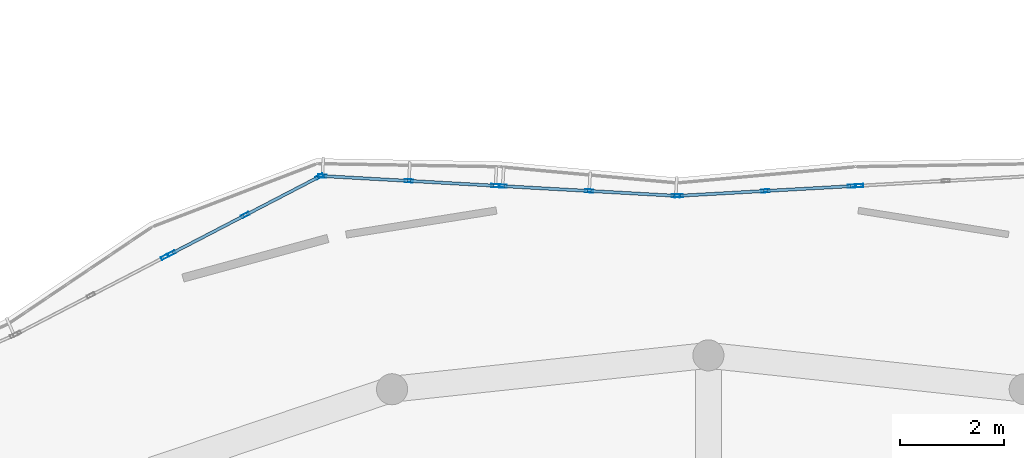
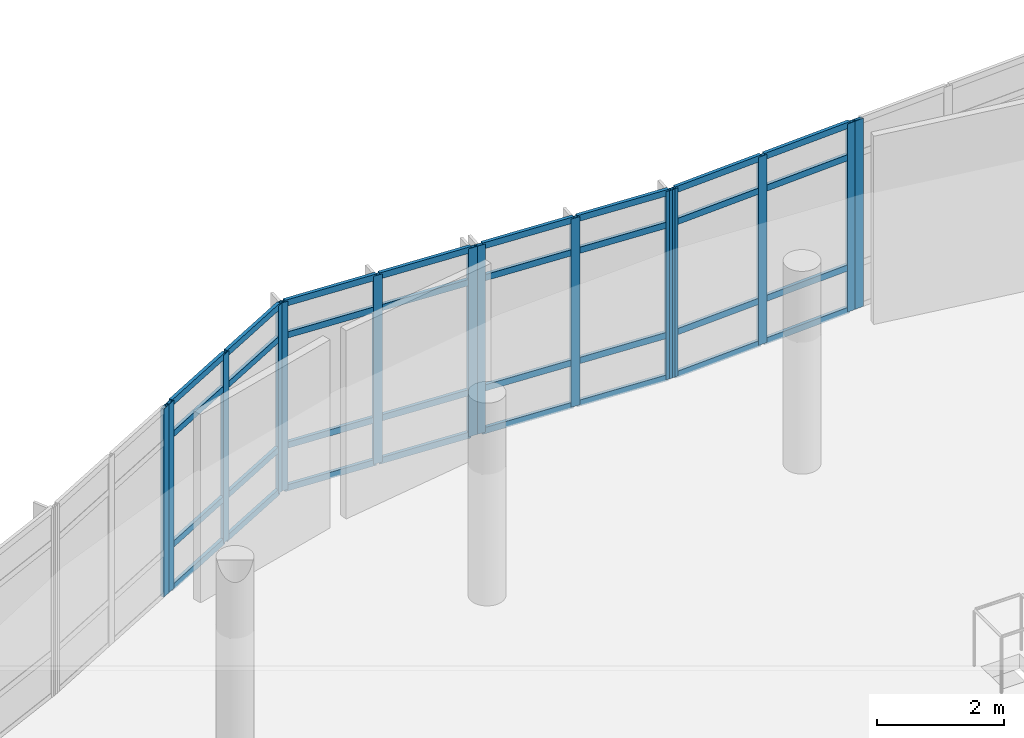
# One storey, part 40 of 74: 46 members, 6 elements without a shape of their own.
"""IFC4 building model written with IfcOpenShell, lengths in metres."""

from ifc_helpers import new_model, si_unit, derived_unit, direction, frame, origin, origin_2d, place, context, subcontext, project, spatial, hollow_rectangle, extrude, material, layer, layer_set, material_profile, profile_set, type_object, element, aggregate, save


model = new_model("IFC4")

# Units and contexts
model_context = context("Model", 3, precision=1e-05, world=origin(), true_north=direction((0.0, 1.0)))
body_context = subcontext(model_context, "Body", "Model", "MODEL_VIEW")
ifc_project = project(units=[si_unit("LENGTHUNIT", "METRE"), si_unit("AREAUNIT", "SQUARE_METRE"), si_unit("VOLUMEUNIT", "CUBIC_METRE"), si_unit("PLANEANGLEUNIT", "RADIAN"), si_unit("MASSUNIT", "GRAM", prefix="KILO"), derived_unit("THERMALTRANSMITTANCEUNIT", [(si_unit("POWERUNIT", "WATT"), 1), (si_unit("LENGTHUNIT", "METRE"), -2), (si_unit("THERMODYNAMICTEMPERATUREUNIT", "KELVIN"), -1)])], contexts=[model_context])

# Site, building, storey
site_placement = place(None, origin())
site = spatial("IfcSite", under=ifc_project, at=site_placement, CompositionType="ELEMENT")
building_placement = place(site_placement, origin())
building = spatial("IfcBuilding", under=site, at=building_placement, Name="Elbkamm Science Centre", CompositionType="ELEMENT")
storey_placement = place(building_placement, frame((0.0, 0.0, 14.39990234375)))
storey = spatial("IfcBuildingStorey", under=building, at=storey_placement, Name="L03", CompositionType="ELEMENT", Elevation=14.39990234375)

# Curtain wall, member
ifc_material_1 = material(Name="Powder-coated aluminium and triple low-E glazing", Category="aluminium")
ifc_layer_1 = layer(ifc_material_1, 0.159912109375)
ifc_layer_set_1 = layer_set([ifc_layer_1], Name="Powder-coated aluminium and triple low-E glazing")
curtain_wall_type_1 = type_object("IfcCurtainWallType", Name="CW-UNIT-3400x3620", PredefinedType="USERDEFINED", material=ifc_layer_set_1)
curtain_wall_1_placement = place(storey_placement, origin())
curtain_wall_1 = element("IfcCurtainWall", 1, at=curtain_wall_1_placement, inside=storey, type_object=curtain_wall_type_1, Name="L03 Unitised Curtain Wall 055", ObjectType="UNITISED CURTAIN WALL", PredefinedType="USERDEFINED")
ifc_material_2 = material(Name="Powder-coated aluminium EN AW-6060", Category="aluminium")
ifc_material_profile_1 = material_profile(ifc_material_2, hollow_rectangle(XDim=0.06005859375, YDim=0.159912109375, WallThickness=0.00390625, at=origin_2d()), Name="ALU M60x160")
ifc_profile_set_1 = profile_set([ifc_material_profile_1], Name="Powder-coated aluminium EN AW-6060")
member_type_1 = type_object("IfcMemberType", Name="CW-MUL-60x160", PredefinedType="MULLION", material=ifc_profile_set_1)
member_1_placement = place(storey_placement, frame((65.912353515625, 89.67626953125, 0.0), z_axis=(0.0, 0.0, 1.0), x_axis=(0.055785320279, -0.998442786564, 0.0)))
member_1 = element("IfcMember", 2, at=member_1_placement, type_object=member_type_1, Name="CW-025 mullion 3", PredefinedType="MULLION", context=body_context, shape_type="SweptSolid", body=[
    extrude(hollow_rectangle(XDim=0.06005859375, YDim=0.159912109375, WallThickness=0.00390625, at=origin_2d()), origin(), (0.0, 0.0, 1.0), 3.6201171875),
])
aggregate(curtain_wall_1, [member_1])

# Curtain wall, members
curtain_wall_2_placement = place(storey_placement, origin())
curtain_wall_2 = element("IfcCurtainWall", 3, at=curtain_wall_2_placement, inside=storey, type_object=curtain_wall_type_1, Name="L03 Unitised Curtain Wall 056", ObjectType="UNITISED CURTAIN WALL", PredefinedType="USERDEFINED")
member_2_placement = place(storey_placement, frame((65.7724609375, 89.66845703125, 0.0), z_axis=(0.0, 0.0, 1.0), x_axis=(0.055785320279, -0.998442786564, 0.0)))
member_2 = element("IfcMember", 4, at=member_2_placement, type_object=member_type_1, Name="CW-025 mullion 1", PredefinedType="MULLION", context=body_context, shape_type="SweptSolid", body=[
    extrude(hollow_rectangle(XDim=0.06005859375, YDim=0.159912109375, WallThickness=0.00390625, at=origin_2d()), origin(), (0.0, 0.0, 1.0), 3.6201171875),
])
member_3_placement = place(storey_placement, frame((64.101318359375, 89.574951171875, 0.0), z_axis=(0.0, 0.0, 1.0), x_axis=(0.055785320279, -0.998442786564, 0.0)))
member_3 = element("IfcMember", 5, at=member_3_placement, type_object=member_type_1, Name="CW-025 mullion 2", PredefinedType="MULLION", context=body_context, shape_type="SweptSolid", body=[
    extrude(hollow_rectangle(XDim=0.06005859375, YDim=0.159912109375, WallThickness=0.00390625, at=origin_2d()), origin(), (0.0, 0.0, 1.0), 3.6201171875),
])
member_4_placement = place(storey_placement, frame((62.429931640625, 89.481689453125, 0.0), z_axis=(0.0, 0.0, 1.0), x_axis=(0.055785320279, -0.998442786564, 0.0)))
member_4 = element("IfcMember", 6, at=member_4_placement, type_object=member_type_1, Name="CW-025 mullion 3", PredefinedType="MULLION", context=body_context, shape_type="SweptSolid", body=[
    extrude(hollow_rectangle(XDim=0.06005859375, YDim=0.159912109375, WallThickness=0.00390625, at=origin_2d()), origin(), (0.0, 0.0, 1.0), 3.6201171875),
])

curtain_wall_3_placement = place(storey_placement, origin())
curtain_wall_3 = element("IfcCurtainWall", 7, at=curtain_wall_3_placement, inside=storey, type_object=curtain_wall_type_1, Name="L03 Unitised Curtain Wall 057", ObjectType="UNITISED CURTAIN WALL", PredefinedType="USERDEFINED")
member_5_placement = place(storey_placement, frame((62.3701171875, 89.481689453125, 0.0), z_axis=(0.0, 0.0, 1.0), x_axis=(-0.055785320279, -0.998442786564, 0.0)))
member_5 = element("IfcMember", 8, at=member_5_placement, type_object=member_type_1, Name="CW-025 mullion 1", PredefinedType="MULLION", context=body_context, shape_type="SweptSolid", body=[
    extrude(hollow_rectangle(XDim=0.06005859375, YDim=0.159912109375, WallThickness=0.00390625, at=origin_2d()), origin(), (0.0, 0.0, 1.0), 3.6201171875),
])
member_6_placement = place(storey_placement, frame((60.69873046875, 89.574951171875, 0.0), z_axis=(0.0, 0.0, 1.0), x_axis=(-0.055785320279, -0.998442786564, 0.0)))
member_6 = element("IfcMember", 9, at=member_6_placement, type_object=member_type_1, Name="CW-025 mullion 2", PredefinedType="MULLION", context=body_context, shape_type="SweptSolid", body=[
    extrude(hollow_rectangle(XDim=0.06005859375, YDim=0.159912109375, WallThickness=0.00390625, at=origin_2d()), origin(), (0.0, 0.0, 1.0), 3.6201171875),
])
member_7_placement = place(storey_placement, frame((59.027587890625, 89.66845703125, 0.0), z_axis=(0.0, 0.0, 1.0), x_axis=(-0.055785320279, -0.998442786564, 0.0)))
member_7 = element("IfcMember", 10, at=member_7_placement, type_object=member_type_1, Name="CW-025 mullion 3", PredefinedType="MULLION", context=body_context, shape_type="SweptSolid", body=[
    extrude(hollow_rectangle(XDim=0.06005859375, YDim=0.159912109375, WallThickness=0.00390625, at=origin_2d()), origin(), (0.0, 0.0, 1.0), 3.6201171875),
])

curtain_wall_4_placement = place(storey_placement, origin())
curtain_wall_4 = element("IfcCurtainWall", 11, at=curtain_wall_4_placement, inside=storey, type_object=curtain_wall_type_1, Name="L03 Unitised Curtain Wall 058", ObjectType="UNITISED CURTAIN WALL", PredefinedType="USERDEFINED")
member_8_placement = place(storey_placement, frame((58.8876953125, 89.67626953125, 0.0), z_axis=(0.0, 0.0, 1.0), x_axis=(-0.055785320279, -0.998442786564, 0.0)))
member_8 = element("IfcMember", 12, at=member_8_placement, type_object=member_type_1, Name="CW-025 mullion 1", PredefinedType="MULLION", context=body_context, shape_type="SweptSolid", body=[
    extrude(hollow_rectangle(XDim=0.06005859375, YDim=0.159912109375, WallThickness=0.00390625, at=origin_2d()), origin(), (0.0, 0.0, 1.0), 3.6201171875),
])
member_9_placement = place(storey_placement, frame((57.216552734375, 89.76953125, 0.0), z_axis=(0.0, 0.0, 1.0), x_axis=(-0.055785320279, -0.998442786564, 0.0)))
member_9 = element("IfcMember", 13, at=member_9_placement, type_object=member_type_1, Name="CW-025 mullion 2", PredefinedType="MULLION", context=body_context, shape_type="SweptSolid", body=[
    extrude(hollow_rectangle(XDim=0.06005859375, YDim=0.159912109375, WallThickness=0.00390625, at=origin_2d()), origin(), (0.0, 0.0, 1.0), 3.6201171875),
])
member_10_placement = place(storey_placement, frame((55.545166015625, 89.863037109375, 0.0), z_axis=(0.0, 0.0, 1.0), x_axis=(-0.055785320279, -0.998442786564, 0.0)))
member_10 = element("IfcMember", 14, at=member_10_placement, type_object=member_type_1, Name="CW-025 mullion 3", PredefinedType="MULLION", context=body_context, shape_type="SweptSolid", body=[
    extrude(hollow_rectangle(XDim=0.06005859375, YDim=0.159912109375, WallThickness=0.00390625, at=origin_2d()), origin(), (0.0, 0.0, 1.0), 3.6201171875),
])

ifc_layer_2 = layer(ifc_material_1, 0.159912109375)
ifc_layer_set_2 = layer_set([ifc_layer_2], Name="Powder-coated aluminium and triple low-E glazing")
curtain_wall_type_2 = type_object("IfcCurtainWallType", Name="CW-UNIT-3280x3620", PredefinedType="USERDEFINED", material=ifc_layer_set_2)
curtain_wall_5_placement = place(storey_placement, origin())
curtain_wall_5 = element("IfcCurtainWall", 15, at=curtain_wall_5_placement, inside=storey, type_object=curtain_wall_type_2, Name="L03 Unitised Curtain Wall 059", ObjectType="UNITISED CURTAIN WALL", PredefinedType="USERDEFINED")
member_11_placement = place(storey_placement, frame((55.48876953125, 89.850830078125, 0.0), z_axis=(0.0, 0.0, 1.0), x_axis=(0.461070562419, -0.887363474835, 0.0)))
member_11 = element("IfcMember", 16, at=member_11_placement, type_object=member_type_1, Name="CW-024 mullion 1", PredefinedType="MULLION", context=body_context, shape_type="SweptSolid", body=[
    extrude(hollow_rectangle(XDim=0.06005859375, YDim=0.159912109375, WallThickness=0.00390625, at=origin_2d()), origin(), (0.0, 0.0, 1.0), 3.6201171875),
])
member_12_placement = place(storey_placement, frame((54.0595703125, 89.108154296875, 0.0), z_axis=(0.0, 0.0, 1.0), x_axis=(0.461070562419, -0.887363474835, 0.0)))
member_12 = element("IfcMember", 17, at=member_12_placement, type_object=member_type_1, Name="CW-024 mullion 2", PredefinedType="MULLION", context=body_context, shape_type="SweptSolid", body=[
    extrude(hollow_rectangle(XDim=0.06005859375, YDim=0.159912109375, WallThickness=0.00390625, at=origin_2d()), origin(), (0.0, 0.0, 1.0), 3.6201171875),
])
member_13_placement = place(storey_placement, frame((52.630615234375, 88.36572265625, 0.0), z_axis=(0.0, 0.0, 1.0), x_axis=(0.461070562419, -0.887363474835, 0.0)))
member_13 = element("IfcMember", 18, at=member_13_placement, type_object=member_type_1, Name="CW-024 mullion 3", PredefinedType="MULLION", context=body_context, shape_type="SweptSolid", body=[
    extrude(hollow_rectangle(XDim=0.06005859375, YDim=0.159912109375, WallThickness=0.00390625, at=origin_2d()), origin(), (0.0, 0.0, 1.0), 3.6201171875),
])

# Curtain wall, member
curtain_wall_6_placement = place(storey_placement, origin())
curtain_wall_6 = element("IfcCurtainWall", 19, at=curtain_wall_6_placement, inside=storey, type_object=curtain_wall_type_2, Name="L03 Unitised Curtain Wall 060", ObjectType="UNITISED CURTAIN WALL", PredefinedType="USERDEFINED")
member_14_placement = place(storey_placement, frame((52.506591796875, 88.30126953125, 0.0), z_axis=(0.0, 0.0, 1.0), x_axis=(0.461070562419, -0.887363474835, 0.0)))
member_14 = element("IfcMember", 20, at=member_14_placement, type_object=member_type_1, Name="CW-024 mullion 1", PredefinedType="MULLION", context=body_context, shape_type="SweptSolid", body=[
    extrude(hollow_rectangle(XDim=0.06005859375, YDim=0.159912109375, WallThickness=0.00390625, at=origin_2d()), origin(), (0.0, 0.0, 1.0), 3.6201171875),
])
aggregate(curtain_wall_6, [member_14])

# Member
ifc_material_profile_2 = material_profile(ifc_material_2, hollow_rectangle(XDim=0.06005859375, YDim=0.1201171875, WallThickness=0.00341796875, at=origin_2d()), Name="ALU T60x120")
ifc_profile_set_2 = profile_set([ifc_material_profile_2], Name="Powder-coated aluminium EN AW-6060")
member_type_2 = type_object("IfcMemberType", Name="CW-TRN-60x120", PredefinedType="USERDEFINED", material=ifc_profile_set_2)
member_15_placement = place(storey_placement, frame((65.742431640625, 89.666748046875, 0.030029296875), z_axis=(-0.998440741305, -0.055821914173, 0.0), x_axis=(0.055821914173, -0.998440741305, 0.0)))
member_15 = element("IfcMember", 21, at=member_15_placement, type_object=member_type_2, Name="CW-025 transom 1.1", ObjectType="TRANSOM", PredefinedType="USERDEFINED", context=body_context, shape_type="SweptSolid", body=[
    extrude(hollow_rectangle(XDim=0.06005859375, YDim=0.1201171875, WallThickness=0.00341796875, at=origin_2d()), origin(), (0.0, 0.0, 1.0), 1.61376953125),
])

member_16_placement = place(storey_placement, frame((65.742431640625, 89.666748046875, 0.85009765625), z_axis=(-0.998440741305, -0.055821914173, 0.0), x_axis=(0.055821914173, -0.998440741305, 0.0)))
member_16 = element("IfcMember", 22, at=member_16_placement, type_object=member_type_2, Name="CW-025 transom 1.2", ObjectType="TRANSOM", PredefinedType="USERDEFINED", context=body_context, shape_type="SweptSolid", body=[
    extrude(hollow_rectangle(XDim=0.06005859375, YDim=0.1201171875, WallThickness=0.00341796875, at=origin_2d()), origin(), (0.0, 0.0, 1.0), 1.61376953125),
])

member_17_placement = place(storey_placement, frame((65.742431640625, 89.666748046875, 2.97021484375), z_axis=(-0.998440741305, -0.055821914173, 0.0), x_axis=(0.055821914173, -0.998440741305, 0.0)))
member_17 = element("IfcMember", 23, at=member_17_placement, type_object=member_type_2, Name="CW-025 transom 1.3", ObjectType="TRANSOM", PredefinedType="USERDEFINED", context=body_context, shape_type="SweptSolid", body=[
    extrude(hollow_rectangle(XDim=0.06005859375, YDim=0.1201171875, WallThickness=0.00341796875, at=origin_2d()), origin(), (0.0, 0.0, 1.0), 1.61376953125),
])

member_18_placement = place(storey_placement, frame((65.742431640625, 89.666748046875, 3.590087890625), z_axis=(-0.998440741305, -0.055821914173, 0.0), x_axis=(0.055821914173, -0.998440741305, 0.0)))
member_18 = element("IfcMember", 24, at=member_18_placement, type_object=member_type_2, Name="CW-025 transom 1.4", ObjectType="TRANSOM", PredefinedType="USERDEFINED", context=body_context, shape_type="SweptSolid", body=[
    extrude(hollow_rectangle(XDim=0.06005859375, YDim=0.1201171875, WallThickness=0.00341796875, at=origin_2d()), origin(), (0.0, 0.0, 1.0), 1.61376953125),
])

member_19_placement = place(storey_placement, frame((64.0712890625, 89.573486328125, 0.030029296875), z_axis=(-0.998440741305, -0.055821914173, 0.0), x_axis=(0.055821914173, -0.998440741305, 0.0)))
member_19 = element("IfcMember", 25, at=member_19_placement, type_object=member_type_2, Name="CW-025 transom 2.1", ObjectType="TRANSOM", PredefinedType="USERDEFINED", context=body_context, shape_type="SweptSolid", body=[
    extrude(hollow_rectangle(XDim=0.06005859375, YDim=0.1201171875, WallThickness=0.00341796875, at=origin_2d()), origin(), (0.0, 0.0, 1.0), 1.61376953125),
])

member_20_placement = place(storey_placement, frame((64.0712890625, 89.573486328125, 0.85009765625), z_axis=(-0.998440741305, -0.055821914173, 0.0), x_axis=(0.055821914173, -0.998440741305, 0.0)))
member_20 = element("IfcMember", 26, at=member_20_placement, type_object=member_type_2, Name="CW-025 transom 2.2", ObjectType="TRANSOM", PredefinedType="USERDEFINED", context=body_context, shape_type="SweptSolid", body=[
    extrude(hollow_rectangle(XDim=0.06005859375, YDim=0.1201171875, WallThickness=0.00341796875, at=origin_2d()), origin(), (0.0, 0.0, 1.0), 1.61376953125),
])

member_21_placement = place(storey_placement, frame((64.0712890625, 89.573486328125, 2.97021484375), z_axis=(-0.998440741305, -0.055821914173, 0.0), x_axis=(0.055821914173, -0.998440741305, 0.0)))
member_21 = element("IfcMember", 27, at=member_21_placement, type_object=member_type_2, Name="CW-025 transom 2.3", ObjectType="TRANSOM", PredefinedType="USERDEFINED", context=body_context, shape_type="SweptSolid", body=[
    extrude(hollow_rectangle(XDim=0.06005859375, YDim=0.1201171875, WallThickness=0.00341796875, at=origin_2d()), origin(), (0.0, 0.0, 1.0), 1.61376953125),
])

member_22_placement = place(storey_placement, frame((64.0712890625, 89.573486328125, 3.590087890625), z_axis=(-0.998440741305, -0.055821914173, 0.0), x_axis=(0.055821914173, -0.998440741305, 0.0)))
member_22 = element("IfcMember", 28, at=member_22_placement, type_object=member_type_2, Name="CW-025 transom 2.4", ObjectType="TRANSOM", PredefinedType="USERDEFINED", context=body_context, shape_type="SweptSolid", body=[
    extrude(hollow_rectangle(XDim=0.06005859375, YDim=0.1201171875, WallThickness=0.00341796875, at=origin_2d()), origin(), (0.0, 0.0, 1.0), 1.61376953125),
])

aggregate(curtain_wall_2, [member_2, member_3, member_4, member_15, member_16, member_17, member_18, member_19, member_20, member_21, member_22])

member_23_placement = place(storey_placement, frame((62.340087890625, 89.4833984375, 0.030029296875), z_axis=(-0.998440741305, 0.055821914173, 0.0), x_axis=(-0.055821914173, -0.998440741305, 0.0)))
member_23 = element("IfcMember", 29, at=member_23_placement, type_object=member_type_2, Name="CW-025 transom 1.1", ObjectType="TRANSOM", PredefinedType="USERDEFINED", context=body_context, shape_type="SweptSolid", body=[
    extrude(hollow_rectangle(XDim=0.06005859375, YDim=0.1201171875, WallThickness=0.00341796875, at=origin_2d()), origin(), (0.0, 0.0, 1.0), 1.61376953125),
])

member_24_placement = place(storey_placement, frame((62.340087890625, 89.4833984375, 0.85009765625), z_axis=(-0.998440741305, 0.055821914173, 0.0), x_axis=(-0.055821914173, -0.998440741305, 0.0)))
member_24 = element("IfcMember", 30, at=member_24_placement, type_object=member_type_2, Name="CW-025 transom 1.2", ObjectType="TRANSOM", PredefinedType="USERDEFINED", context=body_context, shape_type="SweptSolid", body=[
    extrude(hollow_rectangle(XDim=0.06005859375, YDim=0.1201171875, WallThickness=0.00341796875, at=origin_2d()), origin(), (0.0, 0.0, 1.0), 1.61376953125),
])

member_25_placement = place(storey_placement, frame((62.340087890625, 89.4833984375, 2.97021484375), z_axis=(-0.998440741305, 0.055821914173, 0.0), x_axis=(-0.055821914173, -0.998440741305, 0.0)))
member_25 = element("IfcMember", 31, at=member_25_placement, type_object=member_type_2, Name="CW-025 transom 1.3", ObjectType="TRANSOM", PredefinedType="USERDEFINED", context=body_context, shape_type="SweptSolid", body=[
    extrude(hollow_rectangle(XDim=0.06005859375, YDim=0.1201171875, WallThickness=0.00341796875, at=origin_2d()), origin(), (0.0, 0.0, 1.0), 1.61376953125),
])

member_26_placement = place(storey_placement, frame((62.340087890625, 89.4833984375, 3.590087890625), z_axis=(-0.998440741305, 0.055821914173, 0.0), x_axis=(-0.055821914173, -0.998440741305, 0.0)))
member_26 = element("IfcMember", 32, at=member_26_placement, type_object=member_type_2, Name="CW-025 transom 1.4", ObjectType="TRANSOM", PredefinedType="USERDEFINED", context=body_context, shape_type="SweptSolid", body=[
    extrude(hollow_rectangle(XDim=0.06005859375, YDim=0.1201171875, WallThickness=0.00341796875, at=origin_2d()), origin(), (0.0, 0.0, 1.0), 1.61376953125),
])

member_27_placement = place(storey_placement, frame((60.6689453125, 89.57666015625, 0.030029296875), z_axis=(-0.998440741305, 0.055821914173, 0.0), x_axis=(-0.055821914173, -0.998440741305, 0.0)))
member_27 = element("IfcMember", 33, at=member_27_placement, type_object=member_type_2, Name="CW-025 transom 2.1", ObjectType="TRANSOM", PredefinedType="USERDEFINED", context=body_context, shape_type="SweptSolid", body=[
    extrude(hollow_rectangle(XDim=0.06005859375, YDim=0.1201171875, WallThickness=0.00341796875, at=origin_2d()), origin(), (0.0, 0.0, 1.0), 1.61376953125),
])

member_28_placement = place(storey_placement, frame((60.6689453125, 89.57666015625, 0.85009765625), z_axis=(-0.998440741305, 0.055821914173, 0.0), x_axis=(-0.055821914173, -0.998440741305, 0.0)))
member_28 = element("IfcMember", 34, at=member_28_placement, type_object=member_type_2, Name="CW-025 transom 2.2", ObjectType="TRANSOM", PredefinedType="USERDEFINED", context=body_context, shape_type="SweptSolid", body=[
    extrude(hollow_rectangle(XDim=0.06005859375, YDim=0.1201171875, WallThickness=0.00341796875, at=origin_2d()), origin(), (0.0, 0.0, 1.0), 1.61376953125),
])

member_29_placement = place(storey_placement, frame((60.6689453125, 89.57666015625, 2.97021484375), z_axis=(-0.998440741305, 0.055821914173, 0.0), x_axis=(-0.055821914173, -0.998440741305, 0.0)))
member_29 = element("IfcMember", 35, at=member_29_placement, type_object=member_type_2, Name="CW-025 transom 2.3", ObjectType="TRANSOM", PredefinedType="USERDEFINED", context=body_context, shape_type="SweptSolid", body=[
    extrude(hollow_rectangle(XDim=0.06005859375, YDim=0.1201171875, WallThickness=0.00341796875, at=origin_2d()), origin(), (0.0, 0.0, 1.0), 1.61376953125),
])

member_30_placement = place(storey_placement, frame((60.6689453125, 89.57666015625, 3.590087890625), z_axis=(-0.998440741305, 0.055821914173, 0.0), x_axis=(-0.055821914173, -0.998440741305, 0.0)))
member_30 = element("IfcMember", 36, at=member_30_placement, type_object=member_type_2, Name="CW-025 transom 2.4", ObjectType="TRANSOM", PredefinedType="USERDEFINED", context=body_context, shape_type="SweptSolid", body=[
    extrude(hollow_rectangle(XDim=0.06005859375, YDim=0.1201171875, WallThickness=0.00341796875, at=origin_2d()), origin(), (0.0, 0.0, 1.0), 1.61376953125),
])

aggregate(curtain_wall_3, [member_5, member_6, member_7, member_23, member_24, member_25, member_26, member_27, member_28, member_29, member_30])

member_31_placement = place(storey_placement, frame((58.85791015625, 89.677734375, 0.030029296875), z_axis=(-0.998441212596, 0.055813483934, 0.0), x_axis=(-0.055813483934, -0.998441212596, 0.0)))
member_31 = element("IfcMember", 37, at=member_31_placement, type_object=member_type_2, Name="CW-025 transom 1.1", ObjectType="TRANSOM", PredefinedType="USERDEFINED", context=body_context, shape_type="SweptSolid", body=[
    extrude(hollow_rectangle(XDim=0.06005859375, YDim=0.1201171875, WallThickness=0.00341796875, at=origin_2d()), origin(), (0.0, 0.0, 1.0), 1.614013671875),
])

member_32_placement = place(storey_placement, frame((58.85791015625, 89.677734375, 0.85009765625), z_axis=(-0.998441212596, 0.055813483934, 0.0), x_axis=(-0.055813483934, -0.998441212596, 0.0)))
member_32 = element("IfcMember", 38, at=member_32_placement, type_object=member_type_2, Name="CW-025 transom 1.2", ObjectType="TRANSOM", PredefinedType="USERDEFINED", context=body_context, shape_type="SweptSolid", body=[
    extrude(hollow_rectangle(XDim=0.06005859375, YDim=0.1201171875, WallThickness=0.00341796875, at=origin_2d()), origin(), (0.0, 0.0, 1.0), 1.614013671875),
])

member_33_placement = place(storey_placement, frame((58.85791015625, 89.677734375, 2.97021484375), z_axis=(-0.998441212596, 0.055813483934, 0.0), x_axis=(-0.055813483934, -0.998441212596, 0.0)))
member_33 = element("IfcMember", 39, at=member_33_placement, type_object=member_type_2, Name="CW-025 transom 1.3", ObjectType="TRANSOM", PredefinedType="USERDEFINED", context=body_context, shape_type="SweptSolid", body=[
    extrude(hollow_rectangle(XDim=0.06005859375, YDim=0.1201171875, WallThickness=0.00341796875, at=origin_2d()), origin(), (0.0, 0.0, 1.0), 1.614013671875),
])

member_34_placement = place(storey_placement, frame((58.85791015625, 89.677734375, 3.590087890625), z_axis=(-0.998441212596, 0.055813483934, 0.0), x_axis=(-0.055813483934, -0.998441212596, 0.0)))
member_34 = element("IfcMember", 40, at=member_34_placement, type_object=member_type_2, Name="CW-025 transom 1.4", ObjectType="TRANSOM", PredefinedType="USERDEFINED", context=body_context, shape_type="SweptSolid", body=[
    extrude(hollow_rectangle(XDim=0.06005859375, YDim=0.1201171875, WallThickness=0.00341796875, at=origin_2d()), origin(), (0.0, 0.0, 1.0), 1.614013671875),
])

member_35_placement = place(storey_placement, frame((57.1865234375, 89.771240234375, 0.030029296875), z_axis=(-0.998440741305, 0.055821914173, 0.0), x_axis=(-0.055821914173, -0.998440741305, 0.0)))
member_35 = element("IfcMember", 41, at=member_35_placement, type_object=member_type_2, Name="CW-025 transom 2.1", ObjectType="TRANSOM", PredefinedType="USERDEFINED", context=body_context, shape_type="SweptSolid", body=[
    extrude(hollow_rectangle(XDim=0.06005859375, YDim=0.1201171875, WallThickness=0.00341796875, at=origin_2d()), origin(), (0.0, 0.0, 1.0), 1.61376953125),
])

member_36_placement = place(storey_placement, frame((57.1865234375, 89.771240234375, 0.85009765625), z_axis=(-0.998440741305, 0.055821914173, 0.0), x_axis=(-0.055821914173, -0.998440741305, 0.0)))
member_36 = element("IfcMember", 42, at=member_36_placement, type_object=member_type_2, Name="CW-025 transom 2.2", ObjectType="TRANSOM", PredefinedType="USERDEFINED", context=body_context, shape_type="SweptSolid", body=[
    extrude(hollow_rectangle(XDim=0.06005859375, YDim=0.1201171875, WallThickness=0.00341796875, at=origin_2d()), origin(), (0.0, 0.0, 1.0), 1.61376953125),
])

member_37_placement = place(storey_placement, frame((57.1865234375, 89.771240234375, 2.97021484375), z_axis=(-0.998440741305, 0.055821914173, 0.0), x_axis=(-0.055821914173, -0.998440741305, 0.0)))
member_37 = element("IfcMember", 43, at=member_37_placement, type_object=member_type_2, Name="CW-025 transom 2.3", ObjectType="TRANSOM", PredefinedType="USERDEFINED", context=body_context, shape_type="SweptSolid", body=[
    extrude(hollow_rectangle(XDim=0.06005859375, YDim=0.1201171875, WallThickness=0.00341796875, at=origin_2d()), origin(), (0.0, 0.0, 1.0), 1.61376953125),
])

member_38_placement = place(storey_placement, frame((57.1865234375, 89.771240234375, 3.590087890625), z_axis=(-0.998440741305, 0.055821914173, 0.0), x_axis=(-0.055821914173, -0.998440741305, 0.0)))
member_38 = element("IfcMember", 44, at=member_38_placement, type_object=member_type_2, Name="CW-025 transom 2.4", ObjectType="TRANSOM", PredefinedType="USERDEFINED", context=body_context, shape_type="SweptSolid", body=[
    extrude(hollow_rectangle(XDim=0.06005859375, YDim=0.1201171875, WallThickness=0.00341796875, at=origin_2d()), origin(), (0.0, 0.0, 1.0), 1.61376953125),
])

aggregate(curtain_wall_4, [member_8, member_9, member_10, member_31, member_32, member_33, member_34, member_35, member_36, member_37, member_38])

member_39_placement = place(storey_placement, frame((55.462158203125, 89.8369140625, 0.030029296875), z_axis=(-0.887392034924, -0.46101559231, 0.0), x_axis=(0.46101559231, -0.887392034924, 0.0)))
member_39 = element("IfcMember", 45, at=member_39_placement, type_object=member_type_2, Name="CW-024 transom 1.1", ObjectType="TRANSOM", PredefinedType="USERDEFINED", context=body_context, shape_type="SweptSolid", body=[
    extrude(hollow_rectangle(XDim=0.06005859375, YDim=0.1201171875, WallThickness=0.00341796875, at=origin_2d()), origin(), (0.0, 0.0, 1.0), 1.550537109375),
])

member_40_placement = place(storey_placement, frame((55.462158203125, 89.8369140625, 0.85009765625), z_axis=(-0.887392034924, -0.46101559231, 0.0), x_axis=(0.46101559231, -0.887392034924, 0.0)))
member_40 = element("IfcMember", 46, at=member_40_placement, type_object=member_type_2, Name="CW-024 transom 1.2", ObjectType="TRANSOM", PredefinedType="USERDEFINED", context=body_context, shape_type="SweptSolid", body=[
    extrude(hollow_rectangle(XDim=0.06005859375, YDim=0.1201171875, WallThickness=0.00341796875, at=origin_2d()), origin(), (0.0, 0.0, 1.0), 1.550537109375),
])

member_41_placement = place(storey_placement, frame((55.462158203125, 89.8369140625, 2.97021484375), z_axis=(-0.887392034924, -0.46101559231, 0.0), x_axis=(0.46101559231, -0.887392034924, 0.0)))
member_41 = element("IfcMember", 47, at=member_41_placement, type_object=member_type_2, Name="CW-024 transom 1.3", ObjectType="TRANSOM", PredefinedType="USERDEFINED", context=body_context, shape_type="SweptSolid", body=[
    extrude(hollow_rectangle(XDim=0.06005859375, YDim=0.1201171875, WallThickness=0.00341796875, at=origin_2d()), origin(), (0.0, 0.0, 1.0), 1.550537109375),
])

member_42_placement = place(storey_placement, frame((55.462158203125, 89.8369140625, 3.590087890625), z_axis=(-0.887392034924, -0.46101559231, 0.0), x_axis=(0.46101559231, -0.887392034924, 0.0)))
member_42 = element("IfcMember", 48, at=member_42_placement, type_object=member_type_2, Name="CW-024 transom 1.4", ObjectType="TRANSOM", PredefinedType="USERDEFINED", context=body_context, shape_type="SweptSolid", body=[
    extrude(hollow_rectangle(XDim=0.06005859375, YDim=0.1201171875, WallThickness=0.00341796875, at=origin_2d()), origin(), (0.0, 0.0, 1.0), 1.550537109375),
])

member_43_placement = place(storey_placement, frame((54.032958984375, 89.094482421875, 0.030029296875), z_axis=(-0.88735856407, -0.461080013416, 0.0), x_axis=(0.461080013416, -0.88735856407, 0.0)))
member_43 = element("IfcMember", 49, at=member_43_placement, type_object=member_type_2, Name="CW-024 transom 2.1", ObjectType="TRANSOM", PredefinedType="USERDEFINED", context=body_context, shape_type="SweptSolid", body=[
    extrude(hollow_rectangle(XDim=0.06005859375, YDim=0.1201171875, WallThickness=0.00341796875, at=origin_2d()), origin(), (0.0, 0.0, 1.0), 1.55029296875),
])

member_44_placement = place(storey_placement, frame((54.032958984375, 89.094482421875, 0.85009765625), z_axis=(-0.88735856407, -0.461080013416, 0.0), x_axis=(0.461080013416, -0.88735856407, 0.0)))
member_44 = element("IfcMember", 50, at=member_44_placement, type_object=member_type_2, Name="CW-024 transom 2.2", ObjectType="TRANSOM", PredefinedType="USERDEFINED", context=body_context, shape_type="SweptSolid", body=[
    extrude(hollow_rectangle(XDim=0.06005859375, YDim=0.1201171875, WallThickness=0.00341796875, at=origin_2d()), origin(), (0.0, 0.0, 1.0), 1.55029296875),
])

member_45_placement = place(storey_placement, frame((54.032958984375, 89.094482421875, 2.97021484375), z_axis=(-0.88735856407, -0.461080013416, 0.0), x_axis=(0.461080013416, -0.88735856407, 0.0)))
member_45 = element("IfcMember", 51, at=member_45_placement, type_object=member_type_2, Name="CW-024 transom 2.3", ObjectType="TRANSOM", PredefinedType="USERDEFINED", context=body_context, shape_type="SweptSolid", body=[
    extrude(hollow_rectangle(XDim=0.06005859375, YDim=0.1201171875, WallThickness=0.00341796875, at=origin_2d()), origin(), (0.0, 0.0, 1.0), 1.55029296875),
])

member_46_placement = place(storey_placement, frame((54.032958984375, 89.094482421875, 3.590087890625), z_axis=(-0.88735856407, -0.461080013416, 0.0), x_axis=(0.461080013416, -0.88735856407, 0.0)))
member_46 = element("IfcMember", 52, at=member_46_placement, type_object=member_type_2, Name="CW-024 transom 2.4", ObjectType="TRANSOM", PredefinedType="USERDEFINED", context=body_context, shape_type="SweptSolid", body=[
    extrude(hollow_rectangle(XDim=0.06005859375, YDim=0.1201171875, WallThickness=0.00341796875, at=origin_2d()), origin(), (0.0, 0.0, 1.0), 1.55029296875),
])

aggregate(curtain_wall_5, [member_11, member_12, member_13, member_39, member_40, member_41, member_42, member_43, member_44, member_45, member_46])

save(model, "model.ifc")
